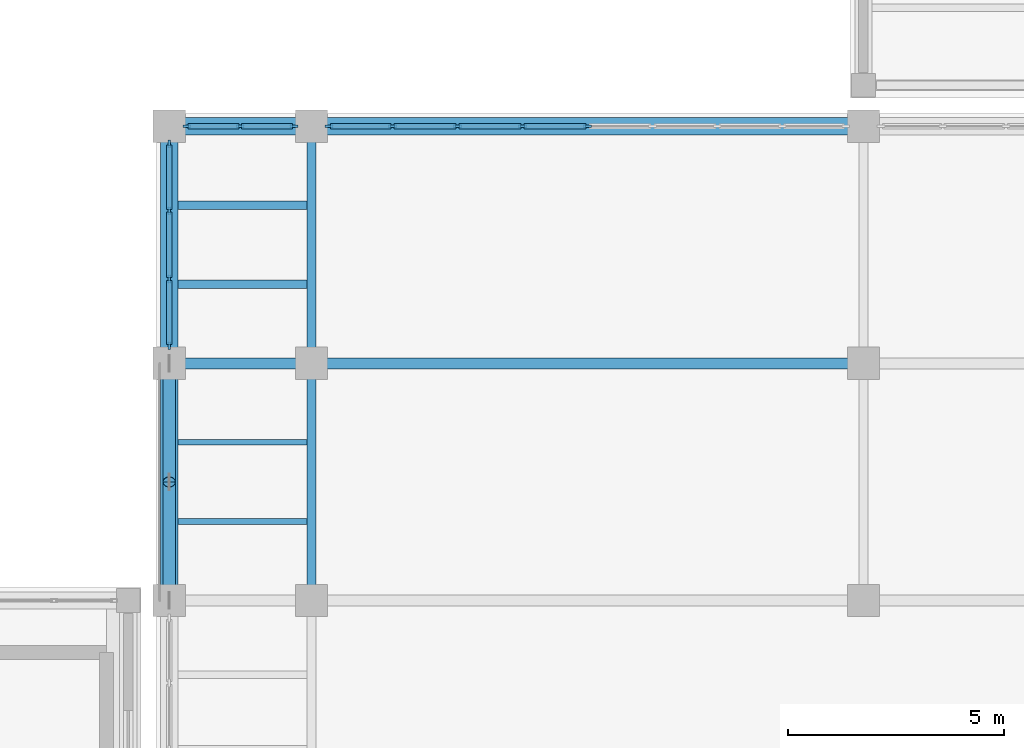
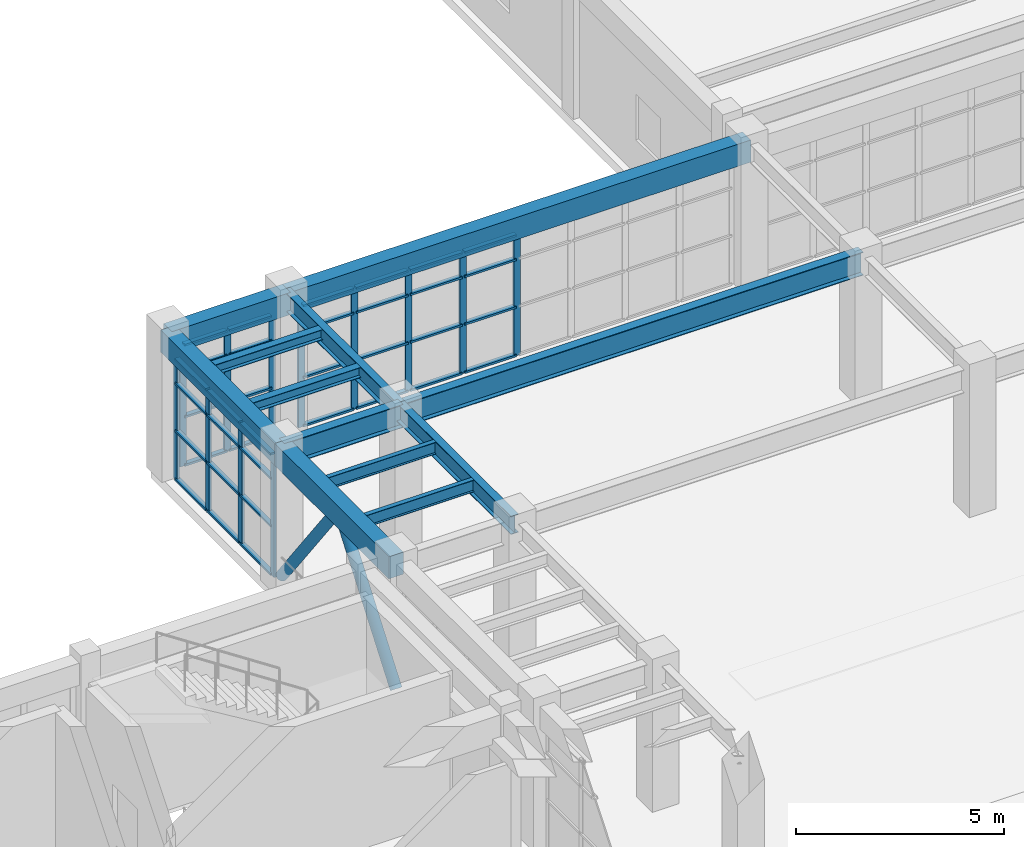
# One storey, part 42 of 85: 50 members, 12 beams, 3 elements without a shape of their own.
"""IFC4 building model written with IfcOpenShell, lengths in metres."""

from ifc_helpers import new_model, si_unit, direction, frame, origin, origin_2d, place, context, subcontext, project, spatial, rectangle, hollow_circle, i_section, extrude, material, layer, layer_set, material_profile, profile_set, type_object, element, aggregate, save


model = new_model("IFC4")

# Units and contexts
model_context = context("Model", 3, precision=1e-05, world=origin(), true_north=direction((0.0, 1.0)))
body_context = subcontext(model_context, "Body", "Model", "MODEL_VIEW")
ifc_project = project(units=[si_unit("LENGTHUNIT", "METRE"), si_unit("AREAUNIT", "SQUARE_METRE"), si_unit("VOLUMEUNIT", "CUBIC_METRE"), si_unit("PLANEANGLEUNIT", "RADIAN"), si_unit("MASSUNIT", "GRAM", prefix="KILO")], contexts=[model_context])

# Site, building, storey
site_placement = place(None, origin())
site = spatial("IfcSite", under=ifc_project, at=site_placement, CompositionType="ELEMENT")
building_placement = place(site_placement, origin())
building = spatial("IfcBuilding", under=site, at=building_placement, Name="Candilejo Ridge Gondola Terminal", CompositionType="ELEMENT")
storey_placement = place(building_placement, frame((0.0, 0.0, 4.5)))
storey = spatial("IfcBuildingStorey", under=building, at=storey_placement, Name="L01", CompositionType="ELEMENT", Elevation=4.5)

# Curtain wall, members
ifc_material_1 = material(Name="Anodised aluminium AA 6063-T6", Category="aluminium")
ifc_layer_1 = layer(ifc_material_1, 0.169921875)
ifc_layer_set_1 = layer_set([ifc_layer_1], Name="ARC-CW-HALL-3800-475X359")
curtain_wall_type_1 = type_object("IfcCurtainWallType", Name="ARC-CW-HALL-3800-475X359", PredefinedType="NOTDEFINED", material=ifc_layer_set_1)
curtain_wall_1_placement = place(storey_placement, origin())
curtain_wall_1 = element("IfcCurtainWall", 1, at=curtain_wall_1_placement, inside=storey, type_object=curtain_wall_type_1, Name="Curtain wall V4 L01-120", PredefinedType="NOTDEFINED")
ifc_material_2 = material(Name="Anodised aluminium AA 6063-T6", Category="aluminium")
ifc_material_profile_1 = material_profile(ifc_material_2, rectangle(XDim=0.06494140625, YDim=0.179931640625, at=origin_2d()))
ifc_profile_set_1 = profile_set([ifc_material_profile_1], Name="Anodised aluminium AA 6063-T6")
member_type_1 = type_object("IfcMemberType", Name="ARC-CW-MULLION-180", PredefinedType="MULLION", material=ifc_profile_set_1)
member_1_placement = place(storey_placement, frame((133.89990234375, 42.607421875, 0.0), z_axis=(0.0, 0.0, 1.0), x_axis=(-1.0, 0.0, 0.0)))
member_1 = element("IfcMember", 2, at=member_1_placement, type_object=member_type_1, Name="CW-47X35 mullion 1", PredefinedType="MULLION", context=body_context, shape_type="SweptSolid", body=[
    extrude(rectangle(XDim=0.06494140625, YDim=0.179931640625, at=origin_2d()), origin(), (0.0, 0.0, 1.0), 3.590087890625),
])
member_2_placement = place(storey_placement, frame((133.89990234375, 44.158447265625, 0.0), z_axis=(0.0, 0.0, 1.0), x_axis=(-1.0, 0.0, 0.0)))
member_2 = element("IfcMember", 3, at=member_2_placement, type_object=member_type_1, Name="CW-47X35 mullion 2", PredefinedType="MULLION", context=body_context, shape_type="SweptSolid", body=[
    extrude(rectangle(XDim=0.06494140625, YDim=0.179931640625, at=origin_2d()), origin(), (0.0, 0.0, 1.0), 3.590087890625),
])
member_3_placement = place(storey_placement, frame((133.89990234375, 45.74169921875, 0.0), z_axis=(0.0, 0.0, 1.0), x_axis=(-1.0, 0.0, 0.0)))
member_3 = element("IfcMember", 4, at=member_3_placement, type_object=member_type_1, Name="CW-47X35 mullion 3", PredefinedType="MULLION", context=body_context, shape_type="SweptSolid", body=[
    extrude(rectangle(XDim=0.06494140625, YDim=0.179931640625, at=origin_2d()), origin(), (0.0, 0.0, 1.0), 3.590087890625),
])
member_4_placement = place(storey_placement, frame((133.89990234375, 47.29248046875, 0.0), z_axis=(0.0, 0.0, 1.0), x_axis=(-1.0, 0.0, 0.0)))
member_4 = element("IfcMember", 5, at=member_4_placement, type_object=member_type_1, Name="CW-47X35 mullion 4", PredefinedType="MULLION", context=body_context, shape_type="SweptSolid", body=[
    extrude(rectangle(XDim=0.06494140625, YDim=0.179931640625, at=origin_2d()), origin(), (0.0, 0.0, 1.0), 3.590087890625),
])

ifc_material_3 = material(Name="Anodised aluminium AA 6063-T6", Category="aluminium")
ifc_layer_2 = layer(ifc_material_3, 0.169921875)
ifc_layer_set_2 = layer_set([ifc_layer_2], Name="ARC-CW-HALL-3800-255X359")
curtain_wall_type_2 = type_object("IfcCurtainWallType", Name="ARC-CW-HALL-3800-255X359", PredefinedType="NOTDEFINED", material=ifc_layer_set_2)
curtain_wall_2_placement = place(storey_placement, origin())
curtain_wall_2 = element("IfcCurtainWall", 6, at=curtain_wall_2_placement, inside=storey, type_object=curtain_wall_type_2, Name="Curtain wall V4 L01-123", PredefinedType="NOTDEFINED")
member_5_placement = place(storey_placement, frame((134.3076171875, 47.699951171875, 0.0), z_axis=(0.0, 0.0, 1.0), x_axis=(0.0, 1.0, 0.0)))
member_5 = element("IfcMember", 7, at=member_5_placement, type_object=member_type_1, Name="CW-25X35 mullion 1", PredefinedType="MULLION", context=body_context, shape_type="SweptSolid", body=[
    extrude(rectangle(XDim=0.06494140625, YDim=0.179931640625, at=origin_2d()), origin(), (0.0, 0.0, 1.0), 3.590087890625),
])
member_6_placement = place(storey_placement, frame((135.550048828125, 47.699951171875, 0.0), z_axis=(0.0, 0.0, 1.0), x_axis=(0.0, 1.0, 0.0)))
member_6 = element("IfcMember", 8, at=member_6_placement, type_object=member_type_1, Name="CW-25X35 mullion 2", PredefinedType="MULLION", context=body_context, shape_type="SweptSolid", body=[
    extrude(rectangle(XDim=0.06494140625, YDim=0.179931640625, at=origin_2d()), origin(), (0.0, 0.0, 1.0), 3.590087890625),
])
member_7_placement = place(storey_placement, frame((136.79248046875, 47.699951171875, 0.0), z_axis=(0.0, 0.0, 1.0), x_axis=(0.0, 1.0, 0.0)))
member_7 = element("IfcMember", 9, at=member_7_placement, type_object=member_type_1, Name="CW-25X35 mullion 3", PredefinedType="MULLION", context=body_context, shape_type="SweptSolid", body=[
    extrude(rectangle(XDim=0.06494140625, YDim=0.179931640625, at=origin_2d()), origin(), (0.0, 0.0, 1.0), 3.590087890625),
])

ifc_material_4 = material(Name="Anodised aluminium AA 6063-T6", Category="aluminium")
ifc_layer_3 = layer(ifc_material_4, 0.169921875)
ifc_layer_set_3 = layer_set([ifc_layer_3], Name="ARC-CW-HALL-3800-1205X359")
curtain_wall_type_3 = type_object("IfcCurtainWallType", Name="ARC-CW-HALL-3800-1205X359", PredefinedType="NOTDEFINED", material=ifc_layer_set_3)
curtain_wall_3_placement = place(storey_placement, origin())
curtain_wall_3 = element("IfcCurtainWall", 10, at=curtain_wall_3_placement, inside=storey, type_object=curtain_wall_type_3, Name="Curtain wall V4 L01-125", PredefinedType="NOTDEFINED")
member_8_placement = place(storey_placement, frame((137.607421875, 47.699951171875, 0.0), z_axis=(0.0, 0.0, 1.0), x_axis=(0.0, 1.0, 0.0)))
member_8 = element("IfcMember", 11, at=member_8_placement, type_object=member_type_1, Name="CW-120X35 mullion 1", PredefinedType="MULLION", context=body_context, shape_type="SweptSolid", body=[
    extrude(rectangle(XDim=0.06494140625, YDim=0.179931640625, at=origin_2d()), origin(), (0.0, 0.0, 1.0), 3.590087890625),
])
member_9_placement = place(storey_placement, frame((139.081298828125, 47.699951171875, 0.0), z_axis=(0.0, 0.0, 1.0), x_axis=(0.0, 1.0, 0.0)))
member_9 = element("IfcMember", 12, at=member_9_placement, type_object=member_type_1, Name="CW-120X35 mullion 2", PredefinedType="MULLION", context=body_context, shape_type="SweptSolid", body=[
    extrude(rectangle(XDim=0.06494140625, YDim=0.179931640625, at=origin_2d()), origin(), (0.0, 0.0, 1.0), 3.590087890625),
])
member_10_placement = place(storey_placement, frame((140.58740234375, 47.699951171875, 0.0), z_axis=(0.0, 0.0, 1.0), x_axis=(0.0, 1.0, 0.0)))
member_10 = element("IfcMember", 13, at=member_10_placement, type_object=member_type_1, Name="CW-120X35 mullion 3", PredefinedType="MULLION", context=body_context, shape_type="SweptSolid", body=[
    extrude(rectangle(XDim=0.06494140625, YDim=0.179931640625, at=origin_2d()), origin(), (0.0, 0.0, 1.0), 3.590087890625),
])
member_11_placement = place(storey_placement, frame((142.09375, 47.699951171875, 0.0), z_axis=(0.0, 0.0, 1.0), x_axis=(0.0, 1.0, 0.0)))
member_11 = element("IfcMember", 14, at=member_11_placement, type_object=member_type_1, Name="CW-120X35 mullion 4", PredefinedType="MULLION", context=body_context, shape_type="SweptSolid", body=[
    extrude(rectangle(XDim=0.06494140625, YDim=0.179931640625, at=origin_2d()), origin(), (0.0, 0.0, 1.0), 3.590087890625),
])
member_12_placement = place(storey_placement, frame((143.60009765625, 47.699951171875, 0.0), z_axis=(0.0, 0.0, 1.0), x_axis=(0.0, 1.0, 0.0)))
member_12 = element("IfcMember", 15, at=member_12_placement, type_object=member_type_1, Name="CW-120X35 mullion 5", PredefinedType="MULLION", context=body_context, shape_type="SweptSolid", body=[
    extrude(rectangle(XDim=0.06494140625, YDim=0.179931640625, at=origin_2d()), origin(), (0.0, 0.0, 1.0), 3.590087890625),
])

# Member
ifc_material_5 = material(Name="Anodised aluminium AA 6063-T6", Category="aluminium")
ifc_material_profile_2 = material_profile(ifc_material_5, rectangle(XDim=0.1298828125, YDim=0.06005859375, at=origin_2d()))
ifc_profile_set_2 = profile_set([ifc_material_profile_2], Name="Anodised aluminium AA 6063-T6")
member_type_2 = type_object("IfcMemberType", Name="ARC-CW-TRANSOM-130", PredefinedType="USERDEFINED", material=ifc_profile_set_2)
member_13_placement = place(storey_placement, frame((133.89990234375, 42.639892578125, 0.030029296875), z_axis=(0.0, 1.0, 0.0), x_axis=(-1.0, 0.0, 0.0)))
member_13 = element("IfcMember", 16, at=member_13_placement, type_object=member_type_2, Name="CW-47X35 transom 1.1", ObjectType="TRANSOM", PredefinedType="USERDEFINED", context=body_context, shape_type="SweptSolid", body=[
    extrude(rectangle(XDim=0.1298828125, YDim=0.06005859375, at=origin_2d()), origin(), (0.0, 0.0, 1.0), 1.48583984375),
])

member_14_placement = place(storey_placement, frame((133.89990234375, 42.639892578125, 1.449951171875), z_axis=(0.0, 1.0, 0.0), x_axis=(-1.0, 0.0, 0.0)))
member_14 = element("IfcMember", 17, at=member_14_placement, type_object=member_type_2, Name="CW-47X35 transom 1.2", ObjectType="TRANSOM", PredefinedType="USERDEFINED", context=body_context, shape_type="SweptSolid", body=[
    extrude(rectangle(XDim=0.1298828125, YDim=0.06005859375, at=origin_2d()), origin(), (0.0, 0.0, 1.0), 1.48583984375),
])

member_15_placement = place(storey_placement, frame((133.89990234375, 42.639892578125, 2.85009765625), z_axis=(0.0, 1.0, 0.0), x_axis=(-1.0, 0.0, 0.0)))
member_15 = element("IfcMember", 18, at=member_15_placement, type_object=member_type_2, Name="CW-47X35 transom 1.3", ObjectType="TRANSOM", PredefinedType="USERDEFINED", context=body_context, shape_type="SweptSolid", body=[
    extrude(rectangle(XDim=0.1298828125, YDim=0.06005859375, at=origin_2d()), origin(), (0.0, 0.0, 1.0), 1.48583984375),
])

member_16_placement = place(storey_placement, frame((133.89990234375, 42.639892578125, 3.56005859375), z_axis=(0.0, 1.0, 0.0), x_axis=(-1.0, 0.0, 0.0)))
member_16 = element("IfcMember", 19, at=member_16_placement, type_object=member_type_2, Name="CW-47X35 transom 1.4", ObjectType="TRANSOM", PredefinedType="USERDEFINED", context=body_context, shape_type="SweptSolid", body=[
    extrude(rectangle(XDim=0.1298828125, YDim=0.06005859375, at=origin_2d()), origin(), (0.0, 0.0, 1.0), 1.48583984375),
])

member_17_placement = place(storey_placement, frame((133.89990234375, 44.19091796875, 0.030029296875), z_axis=(0.0, 1.0, 0.0), x_axis=(-1.0, 0.0, 0.0)))
member_17 = element("IfcMember", 20, at=member_17_placement, type_object=member_type_2, Name="CW-47X35 transom 2.1", ObjectType="TRANSOM", PredefinedType="USERDEFINED", context=body_context, shape_type="SweptSolid", body=[
    extrude(rectangle(XDim=0.1298828125, YDim=0.06005859375, at=origin_2d()), origin(), (0.0, 0.0, 1.0), 1.518310546875),
])

member_18_placement = place(storey_placement, frame((133.89990234375, 44.19091796875, 1.449951171875), z_axis=(0.0, 1.0, 0.0), x_axis=(-1.0, 0.0, 0.0)))
member_18 = element("IfcMember", 21, at=member_18_placement, type_object=member_type_2, Name="CW-47X35 transom 2.2", ObjectType="TRANSOM", PredefinedType="USERDEFINED", context=body_context, shape_type="SweptSolid", body=[
    extrude(rectangle(XDim=0.1298828125, YDim=0.06005859375, at=origin_2d()), origin(), (0.0, 0.0, 1.0), 1.518310546875),
])

member_19_placement = place(storey_placement, frame((133.89990234375, 44.19091796875, 2.85009765625), z_axis=(0.0, 1.0, 0.0), x_axis=(-1.0, 0.0, 0.0)))
member_19 = element("IfcMember", 22, at=member_19_placement, type_object=member_type_2, Name="CW-47X35 transom 2.3", ObjectType="TRANSOM", PredefinedType="USERDEFINED", context=body_context, shape_type="SweptSolid", body=[
    extrude(rectangle(XDim=0.1298828125, YDim=0.06005859375, at=origin_2d()), origin(), (0.0, 0.0, 1.0), 1.518310546875),
])

member_20_placement = place(storey_placement, frame((133.89990234375, 44.19091796875, 3.56005859375), z_axis=(0.0, 1.0, 0.0), x_axis=(-1.0, 0.0, 0.0)))
member_20 = element("IfcMember", 23, at=member_20_placement, type_object=member_type_2, Name="CW-47X35 transom 2.4", ObjectType="TRANSOM", PredefinedType="USERDEFINED", context=body_context, shape_type="SweptSolid", body=[
    extrude(rectangle(XDim=0.1298828125, YDim=0.06005859375, at=origin_2d()), origin(), (0.0, 0.0, 1.0), 1.518310546875),
])

member_21_placement = place(storey_placement, frame((133.89990234375, 45.774169921875, 0.030029296875), z_axis=(0.0, 1.0, 0.0), x_axis=(-1.0, 0.0, 0.0)))
member_21 = element("IfcMember", 24, at=member_21_placement, type_object=member_type_2, Name="CW-47X35 transom 3.1", ObjectType="TRANSOM", PredefinedType="USERDEFINED", context=body_context, shape_type="SweptSolid", body=[
    extrude(rectangle(XDim=0.1298828125, YDim=0.06005859375, at=origin_2d()), origin(), (0.0, 0.0, 1.0), 1.48583984375),
])

member_22_placement = place(storey_placement, frame((133.89990234375, 45.774169921875, 1.449951171875), z_axis=(0.0, 1.0, 0.0), x_axis=(-1.0, 0.0, 0.0)))
member_22 = element("IfcMember", 25, at=member_22_placement, type_object=member_type_2, Name="CW-47X35 transom 3.2", ObjectType="TRANSOM", PredefinedType="USERDEFINED", context=body_context, shape_type="SweptSolid", body=[
    extrude(rectangle(XDim=0.1298828125, YDim=0.06005859375, at=origin_2d()), origin(), (0.0, 0.0, 1.0), 1.48583984375),
])

member_23_placement = place(storey_placement, frame((133.89990234375, 45.774169921875, 2.85009765625), z_axis=(0.0, 1.0, 0.0), x_axis=(-1.0, 0.0, 0.0)))
member_23 = element("IfcMember", 26, at=member_23_placement, type_object=member_type_2, Name="CW-47X35 transom 3.3", ObjectType="TRANSOM", PredefinedType="USERDEFINED", context=body_context, shape_type="SweptSolid", body=[
    extrude(rectangle(XDim=0.1298828125, YDim=0.06005859375, at=origin_2d()), origin(), (0.0, 0.0, 1.0), 1.48583984375),
])

member_24_placement = place(storey_placement, frame((133.89990234375, 45.774169921875, 3.56005859375), z_axis=(0.0, 1.0, 0.0), x_axis=(-1.0, 0.0, 0.0)))
member_24 = element("IfcMember", 27, at=member_24_placement, type_object=member_type_2, Name="CW-47X35 transom 3.4", ObjectType="TRANSOM", PredefinedType="USERDEFINED", context=body_context, shape_type="SweptSolid", body=[
    extrude(rectangle(XDim=0.1298828125, YDim=0.06005859375, at=origin_2d()), origin(), (0.0, 0.0, 1.0), 1.48583984375),
])

aggregate(curtain_wall_1, [member_1, member_2, member_3, member_4, member_13, member_14, member_15, member_16, member_17, member_18, member_19, member_20, member_21, member_22, member_23, member_24])

member_25_placement = place(storey_placement, frame((134.340087890625, 47.699951171875, 0.030029296875), z_axis=(1.0, 0.0, 0.0), x_axis=(0.0, 1.0, 0.0)))
member_25 = element("IfcMember", 28, at=member_25_placement, type_object=member_type_2, Name="CW-25X35 transom 1.1", ObjectType="TRANSOM", PredefinedType="USERDEFINED", context=body_context, shape_type="SweptSolid", body=[
    extrude(rectangle(XDim=0.1298828125, YDim=0.06005859375, at=origin_2d()), origin(), (0.0, 0.0, 1.0), 1.177490234375),
])

member_26_placement = place(storey_placement, frame((134.340087890625, 47.699951171875, 1.449951171875), z_axis=(1.0, 0.0, 0.0), x_axis=(0.0, 1.0, 0.0)))
member_26 = element("IfcMember", 29, at=member_26_placement, type_object=member_type_2, Name="CW-25X35 transom 1.2", ObjectType="TRANSOM", PredefinedType="USERDEFINED", context=body_context, shape_type="SweptSolid", body=[
    extrude(rectangle(XDim=0.1298828125, YDim=0.06005859375, at=origin_2d()), origin(), (0.0, 0.0, 1.0), 1.177490234375),
])

member_27_placement = place(storey_placement, frame((134.340087890625, 47.699951171875, 2.85009765625), z_axis=(1.0, 0.0, 0.0), x_axis=(0.0, 1.0, 0.0)))
member_27 = element("IfcMember", 30, at=member_27_placement, type_object=member_type_2, Name="CW-25X35 transom 1.3", ObjectType="TRANSOM", PredefinedType="USERDEFINED", context=body_context, shape_type="SweptSolid", body=[
    extrude(rectangle(XDim=0.1298828125, YDim=0.06005859375, at=origin_2d()), origin(), (0.0, 0.0, 1.0), 1.177490234375),
])

member_28_placement = place(storey_placement, frame((134.340087890625, 47.699951171875, 3.56005859375), z_axis=(1.0, 0.0, 0.0), x_axis=(0.0, 1.0, 0.0)))
member_28 = element("IfcMember", 31, at=member_28_placement, type_object=member_type_2, Name="CW-25X35 transom 1.4", ObjectType="TRANSOM", PredefinedType="USERDEFINED", context=body_context, shape_type="SweptSolid", body=[
    extrude(rectangle(XDim=0.1298828125, YDim=0.06005859375, at=origin_2d()), origin(), (0.0, 0.0, 1.0), 1.177490234375),
])

member_29_placement = place(storey_placement, frame((135.58251953125, 47.699951171875, 0.030029296875), z_axis=(1.0, 0.0, 0.0), x_axis=(0.0, 1.0, 0.0)))
member_29 = element("IfcMember", 32, at=member_29_placement, type_object=member_type_2, Name="CW-25X35 transom 2.1", ObjectType="TRANSOM", PredefinedType="USERDEFINED", context=body_context, shape_type="SweptSolid", body=[
    extrude(rectangle(XDim=0.1298828125, YDim=0.06005859375, at=origin_2d()), origin(), (0.0, 0.0, 1.0), 1.177490234375),
])

member_30_placement = place(storey_placement, frame((135.58251953125, 47.699951171875, 1.449951171875), z_axis=(1.0, 0.0, 0.0), x_axis=(0.0, 1.0, 0.0)))
member_30 = element("IfcMember", 33, at=member_30_placement, type_object=member_type_2, Name="CW-25X35 transom 2.2", ObjectType="TRANSOM", PredefinedType="USERDEFINED", context=body_context, shape_type="SweptSolid", body=[
    extrude(rectangle(XDim=0.1298828125, YDim=0.06005859375, at=origin_2d()), origin(), (0.0, 0.0, 1.0), 1.177490234375),
])

member_31_placement = place(storey_placement, frame((135.58251953125, 47.699951171875, 2.85009765625), z_axis=(1.0, 0.0, 0.0), x_axis=(0.0, 1.0, 0.0)))
member_31 = element("IfcMember", 34, at=member_31_placement, type_object=member_type_2, Name="CW-25X35 transom 2.3", ObjectType="TRANSOM", PredefinedType="USERDEFINED", context=body_context, shape_type="SweptSolid", body=[
    extrude(rectangle(XDim=0.1298828125, YDim=0.06005859375, at=origin_2d()), origin(), (0.0, 0.0, 1.0), 1.177490234375),
])

member_32_placement = place(storey_placement, frame((135.58251953125, 47.699951171875, 3.56005859375), z_axis=(1.0, 0.0, 0.0), x_axis=(0.0, 1.0, 0.0)))
member_32 = element("IfcMember", 35, at=member_32_placement, type_object=member_type_2, Name="CW-25X35 transom 2.4", ObjectType="TRANSOM", PredefinedType="USERDEFINED", context=body_context, shape_type="SweptSolid", body=[
    extrude(rectangle(XDim=0.1298828125, YDim=0.06005859375, at=origin_2d()), origin(), (0.0, 0.0, 1.0), 1.177490234375),
])

aggregate(curtain_wall_2, [member_5, member_6, member_7, member_25, member_26, member_27, member_28, member_29, member_30, member_31, member_32])

member_33_placement = place(storey_placement, frame((137.639892578125, 47.699951171875, 0.030029296875), z_axis=(1.0, 0.0, 0.0), x_axis=(0.0, 1.0, 0.0)))
member_33 = element("IfcMember", 36, at=member_33_placement, type_object=member_type_2, Name="CW-120X35 transom 1.1", ObjectType="TRANSOM", PredefinedType="USERDEFINED", context=body_context, shape_type="SweptSolid", body=[
    extrude(rectangle(XDim=0.1298828125, YDim=0.06005859375, at=origin_2d()), origin(), (0.0, 0.0, 1.0), 1.408935546875),
])

member_34_placement = place(storey_placement, frame((137.639892578125, 47.699951171875, 1.449951171875), z_axis=(1.0, 0.0, 0.0), x_axis=(0.0, 1.0, 0.0)))
member_34 = element("IfcMember", 37, at=member_34_placement, type_object=member_type_2, Name="CW-120X35 transom 1.2", ObjectType="TRANSOM", PredefinedType="USERDEFINED", context=body_context, shape_type="SweptSolid", body=[
    extrude(rectangle(XDim=0.1298828125, YDim=0.06005859375, at=origin_2d()), origin(), (0.0, 0.0, 1.0), 1.408935546875),
])

member_35_placement = place(storey_placement, frame((137.639892578125, 47.699951171875, 2.85009765625), z_axis=(1.0, 0.0, 0.0), x_axis=(0.0, 1.0, 0.0)))
member_35 = element("IfcMember", 38, at=member_35_placement, type_object=member_type_2, Name="CW-120X35 transom 1.3", ObjectType="TRANSOM", PredefinedType="USERDEFINED", context=body_context, shape_type="SweptSolid", body=[
    extrude(rectangle(XDim=0.1298828125, YDim=0.06005859375, at=origin_2d()), origin(), (0.0, 0.0, 1.0), 1.408935546875),
])

member_36_placement = place(storey_placement, frame((137.639892578125, 47.699951171875, 3.56005859375), z_axis=(1.0, 0.0, 0.0), x_axis=(0.0, 1.0, 0.0)))
member_36 = element("IfcMember", 39, at=member_36_placement, type_object=member_type_2, Name="CW-120X35 transom 1.4", ObjectType="TRANSOM", PredefinedType="USERDEFINED", context=body_context, shape_type="SweptSolid", body=[
    extrude(rectangle(XDim=0.1298828125, YDim=0.06005859375, at=origin_2d()), origin(), (0.0, 0.0, 1.0), 1.408935546875),
])

member_37_placement = place(storey_placement, frame((139.11376953125, 47.699951171875, 0.030029296875), z_axis=(1.0, 0.0, 0.0), x_axis=(0.0, 1.0, 0.0)))
member_37 = element("IfcMember", 40, at=member_37_placement, type_object=member_type_2, Name="CW-120X35 transom 2.1", ObjectType="TRANSOM", PredefinedType="USERDEFINED", context=body_context, shape_type="SweptSolid", body=[
    extrude(rectangle(XDim=0.1298828125, YDim=0.06005859375, at=origin_2d()), origin(), (0.0, 0.0, 1.0), 1.441162109375),
])

member_38_placement = place(storey_placement, frame((139.11376953125, 47.699951171875, 1.449951171875), z_axis=(1.0, 0.0, 0.0), x_axis=(0.0, 1.0, 0.0)))
member_38 = element("IfcMember", 41, at=member_38_placement, type_object=member_type_2, Name="CW-120X35 transom 2.2", ObjectType="TRANSOM", PredefinedType="USERDEFINED", context=body_context, shape_type="SweptSolid", body=[
    extrude(rectangle(XDim=0.1298828125, YDim=0.06005859375, at=origin_2d()), origin(), (0.0, 0.0, 1.0), 1.441162109375),
])

member_39_placement = place(storey_placement, frame((139.11376953125, 47.699951171875, 2.85009765625), z_axis=(1.0, 0.0, 0.0), x_axis=(0.0, 1.0, 0.0)))
member_39 = element("IfcMember", 42, at=member_39_placement, type_object=member_type_2, Name="CW-120X35 transom 2.3", ObjectType="TRANSOM", PredefinedType="USERDEFINED", context=body_context, shape_type="SweptSolid", body=[
    extrude(rectangle(XDim=0.1298828125, YDim=0.06005859375, at=origin_2d()), origin(), (0.0, 0.0, 1.0), 1.441162109375),
])

member_40_placement = place(storey_placement, frame((139.11376953125, 47.699951171875, 3.56005859375), z_axis=(1.0, 0.0, 0.0), x_axis=(0.0, 1.0, 0.0)))
member_40 = element("IfcMember", 43, at=member_40_placement, type_object=member_type_2, Name="CW-120X35 transom 2.4", ObjectType="TRANSOM", PredefinedType="USERDEFINED", context=body_context, shape_type="SweptSolid", body=[
    extrude(rectangle(XDim=0.1298828125, YDim=0.06005859375, at=origin_2d()), origin(), (0.0, 0.0, 1.0), 1.441162109375),
])

member_41_placement = place(storey_placement, frame((140.6201171875, 47.699951171875, 0.030029296875), z_axis=(1.0, 0.0, 0.0), x_axis=(0.0, 1.0, 0.0)))
member_41 = element("IfcMember", 44, at=member_41_placement, type_object=member_type_2, Name="CW-120X35 transom 3.1", ObjectType="TRANSOM", PredefinedType="USERDEFINED", context=body_context, shape_type="SweptSolid", body=[
    extrude(rectangle(XDim=0.1298828125, YDim=0.06005859375, at=origin_2d()), origin(), (0.0, 0.0, 1.0), 1.441162109375),
])

member_42_placement = place(storey_placement, frame((140.6201171875, 47.699951171875, 1.449951171875), z_axis=(1.0, 0.0, 0.0), x_axis=(0.0, 1.0, 0.0)))
member_42 = element("IfcMember", 45, at=member_42_placement, type_object=member_type_2, Name="CW-120X35 transom 3.2", ObjectType="TRANSOM", PredefinedType="USERDEFINED", context=body_context, shape_type="SweptSolid", body=[
    extrude(rectangle(XDim=0.1298828125, YDim=0.06005859375, at=origin_2d()), origin(), (0.0, 0.0, 1.0), 1.441162109375),
])

member_43_placement = place(storey_placement, frame((140.6201171875, 47.699951171875, 2.85009765625), z_axis=(1.0, 0.0, 0.0), x_axis=(0.0, 1.0, 0.0)))
member_43 = element("IfcMember", 46, at=member_43_placement, type_object=member_type_2, Name="CW-120X35 transom 3.3", ObjectType="TRANSOM", PredefinedType="USERDEFINED", context=body_context, shape_type="SweptSolid", body=[
    extrude(rectangle(XDim=0.1298828125, YDim=0.06005859375, at=origin_2d()), origin(), (0.0, 0.0, 1.0), 1.441162109375),
])

member_44_placement = place(storey_placement, frame((140.6201171875, 47.699951171875, 3.56005859375), z_axis=(1.0, 0.0, 0.0), x_axis=(0.0, 1.0, 0.0)))
member_44 = element("IfcMember", 47, at=member_44_placement, type_object=member_type_2, Name="CW-120X35 transom 3.4", ObjectType="TRANSOM", PredefinedType="USERDEFINED", context=body_context, shape_type="SweptSolid", body=[
    extrude(rectangle(XDim=0.1298828125, YDim=0.06005859375, at=origin_2d()), origin(), (0.0, 0.0, 1.0), 1.441162109375),
])

member_45_placement = place(storey_placement, frame((142.126220703125, 47.699951171875, 0.030029296875), z_axis=(1.0, 0.0, 0.0), x_axis=(0.0, 1.0, 0.0)))
member_45 = element("IfcMember", 48, at=member_45_placement, type_object=member_type_2, Name="CW-120X35 transom 4.1", ObjectType="TRANSOM", PredefinedType="USERDEFINED", context=body_context, shape_type="SweptSolid", body=[
    extrude(rectangle(XDim=0.1298828125, YDim=0.06005859375, at=origin_2d()), origin(), (0.0, 0.0, 1.0), 1.441162109375),
])

member_46_placement = place(storey_placement, frame((142.126220703125, 47.699951171875, 1.449951171875), z_axis=(1.0, 0.0, 0.0), x_axis=(0.0, 1.0, 0.0)))
member_46 = element("IfcMember", 49, at=member_46_placement, type_object=member_type_2, Name="CW-120X35 transom 4.2", ObjectType="TRANSOM", PredefinedType="USERDEFINED", context=body_context, shape_type="SweptSolid", body=[
    extrude(rectangle(XDim=0.1298828125, YDim=0.06005859375, at=origin_2d()), origin(), (0.0, 0.0, 1.0), 1.441162109375),
])

member_47_placement = place(storey_placement, frame((142.126220703125, 47.699951171875, 2.85009765625), z_axis=(1.0, 0.0, 0.0), x_axis=(0.0, 1.0, 0.0)))
member_47 = element("IfcMember", 50, at=member_47_placement, type_object=member_type_2, Name="CW-120X35 transom 4.3", ObjectType="TRANSOM", PredefinedType="USERDEFINED", context=body_context, shape_type="SweptSolid", body=[
    extrude(rectangle(XDim=0.1298828125, YDim=0.06005859375, at=origin_2d()), origin(), (0.0, 0.0, 1.0), 1.441162109375),
])

member_48_placement = place(storey_placement, frame((142.126220703125, 47.699951171875, 3.56005859375), z_axis=(1.0, 0.0, 0.0), x_axis=(0.0, 1.0, 0.0)))
member_48 = element("IfcMember", 51, at=member_48_placement, type_object=member_type_2, Name="CW-120X35 transom 4.4", ObjectType="TRANSOM", PredefinedType="USERDEFINED", context=body_context, shape_type="SweptSolid", body=[
    extrude(rectangle(XDim=0.1298828125, YDim=0.06005859375, at=origin_2d()), origin(), (0.0, 0.0, 1.0), 1.441162109375),
])

aggregate(curtain_wall_3, [member_8, member_9, member_10, member_11, member_12, member_33, member_34, member_35, member_36, member_37, member_38, member_39, member_40, member_41, member_42, member_43, member_44, member_45, member_46, member_47, member_48])

# Beams
ifc_material_6 = material(Name="Steel ASTM A992 Grade 50", Category="steel")
ifc_material_profile_3 = material_profile(ifc_material_6, i_section(OverallWidth=0.2109375, OverallDepth=0.5390625, WebThickness=0.01171875, FlangeThickness=0.018798828125, at=origin_2d()))
ifc_profile_set_3 = profile_set([ifc_material_profile_3], Name="Steel ASTM A992 Grade 50")
beam_type_1 = type_object("IfcBeamType", Name="STR-BM-W530X109", PredefinedType="BEAM", material=ifc_profile_set_3)
for number, where, z_axis, x_axis, name in (
    (52, (137.199951171875, 36.699951171875, 3.930419921875), (0.0, 1.0, 0.0), (-1.0, 0.0, 0.0), "Beam Y V4 L01 Y07-Y08@X22"),
    (53, (137.199951171875, 42.199951171875, 3.930419921875), (0.0, 1.0, 0.0), (-1.0, 0.0, 0.0), "Beam Y V4 L01 Y08-Y09@X22"),
):
    element("IfcBeam", number, at=place(storey_placement, frame(where, z_axis=z_axis, x_axis=x_axis)), inside=storey, type_object=beam_type_1, Name=name, PredefinedType="BEAM", context=body_context, shape_type="SweptSolid", body=[
        extrude(i_section(OverallWidth=0.2109375, OverallDepth=0.5390625, WebThickness=0.01171875, FlangeThickness=0.018798828125, at=origin_2d()), origin(), (0.0, 0.0, 1.0), 5.5),
    ])
ifc_material_7 = material(Name="Steel ASTM A992 Grade 50", Category="steel")
ifc_material_profile_4 = material_profile(ifc_material_7, i_section(OverallWidth=0.25390625, OverallDepth=0.68408203125, WebThickness=0.012451171875, FlangeThickness=0.018798828125, at=origin_2d()))
ifc_profile_set_4 = profile_set([ifc_material_profile_4], Name="Steel ASTM A992 Grade 50")
beam_type_2 = type_object("IfcBeamType", Name="STR-BM-W690X140", PredefinedType="BEAM", material=ifc_profile_set_4)
beam_1_placement = place(storey_placement, frame((133.89990234375, 42.199951171875, 3.85791015625), z_axis=(1.0, 0.0, 0.0), x_axis=(0.0, 1.0, 0.0)))
element("IfcBeam", 54, at=beam_1_placement, inside=storey, type_object=beam_type_2, Name="Beam X V4 L01 X21-X22@Y08", PredefinedType="BEAM", context=body_context, shape_type="SweptSolid", body=[
    extrude(i_section(OverallWidth=0.25390625, OverallDepth=0.68408203125, WebThickness=0.012451171875, FlangeThickness=0.018798828125, at=origin_2d()), origin(), (0.0, 0.0, 1.0), 3.300048828125),
])
beam_2_placement = place(storey_placement, frame((137.199951171875, 42.199951171875, 3.85791015625), z_axis=(1.0, 0.0, 0.0), x_axis=(0.0, 1.0, 0.0)))
element("IfcBeam", 55, at=beam_2_placement, inside=storey, type_object=beam_type_2, Name="Beam X V4 L01 X22-X23@Y08", PredefinedType="BEAM", context=body_context, shape_type="SweptSolid", body=[
    extrude(i_section(OverallWidth=0.25390625, OverallDepth=0.68408203125, WebThickness=0.012451171875, FlangeThickness=0.018798828125, at=origin_2d()), origin(), (0.0, 0.0, 1.0), 12.800048828125),
])

# Members
ifc_material_8 = material(Name="Steel ASTM A500 Grade C", Category="steel")
ifc_material_profile_5 = material_profile(ifc_material_8, hollow_circle(Radius=0.149169921875, WallThickness=0.009521484375, at=origin_2d()))
ifc_profile_set_5 = profile_set([ifc_material_profile_5], Name="Steel ASTM A500 Grade C")
member_type_3 = type_object("IfcMemberType", Name="STR-BRC-CHS298", PredefinedType="BRACE", material=ifc_profile_set_5)
for number, where, z_axis, x_axis, name in (
    (56, (133.89990234375, 36.699951171875, 0.25), (0.0, 0.604386481374, 0.796691270902), (-1.0, 0.0, 0.0), "Chevron brace V4 L01-02A"),
    (57, (133.89990234375, 42.199951171875, 0.25), (0.0, -0.604386481374, 0.796691270902), (1.0, 0.0, 0.0), "Chevron brace V4 L01-02B"),
):
    element("IfcMember", number, at=place(storey_placement, frame(where, z_axis=z_axis, x_axis=x_axis)), inside=storey, type_object=member_type_3, Name=name, PredefinedType="BRACE", context=body_context, shape_type="SweptSolid", body=[
        extrude(hollow_circle(Radius=0.149169921875, WallThickness=0.009521484375, at=origin_2d()), origin(), (0.0, 0.0, 1.0), 4.550048828125),
    ])

# Beams
ifc_material_9 = material(Name="Steel ASTM A992 Grade 50", Category="steel")
ifc_material_profile_6 = material_profile(ifc_material_9, i_section(OverallWidth=0.202880859375, OverallDepth=0.302978515625, WebThickness=0.007568359375, FlangeThickness=0.01318359375, at=origin_2d()))
ifc_profile_set_6 = profile_set([ifc_material_profile_6], Name="Steel ASTM A992 Grade 50")
beam_type_3 = type_object("IfcBeamType", Name="STR-JST-W310X60", PredefinedType="JOIST", material=ifc_profile_set_6)
for number, where, z_axis, x_axis, name in (
    (58, (134.10009765625, 44.033203125, 4.048583984375), (1.0, 0.0, 0.0), (0.0, 1.0, 0.0), "Composite joist V4 L01-0902"),
    (59, (134.10009765625, 45.86669921875, 4.048583984375), (1.0, 0.0, 0.0), (0.0, 1.0, 0.0), "Composite joist V4 L01-0903"),
):
    element("IfcBeam", number, at=place(storey_placement, frame(where, z_axis=z_axis, x_axis=x_axis)), inside=storey, type_object=beam_type_3, Name=name, PredefinedType="JOIST", context=body_context, shape_type="SweptSolid", body=[
        extrude(i_section(OverallWidth=0.202880859375, OverallDepth=0.302978515625, WebThickness=0.007568359375, FlangeThickness=0.01318359375, at=origin_2d()), origin(), (0.0, 0.0, 1.0), 2.994384765625),
    ])
ifc_material_10 = material(Name="Steel ASTM A992 Grade 50", Category="steel")
ifc_material_profile_7 = material_profile(ifc_material_10, i_section(OverallWidth=0.1279296875, OverallDepth=0.35302734375, WebThickness=0.006591796875, FlangeThickness=0.0107421875, at=origin_2d()))
ifc_profile_set_7 = profile_set([ifc_material_profile_7], Name="Steel ASTM A992 Grade 50")
beam_type_4 = type_object("IfcBeamType", Name="STR-JST-W360X39", PredefinedType="JOIST", material=ifc_profile_set_7)
for number, where, z_axis, x_axis, name in (
    (60, (134.10009765625, 38.533203125, 4.0234375), (1.0, 0.0, 0.0), (0.0, 1.0, 0.0), "Composite joist V4 L01-0900"),
    (61, (134.10009765625, 40.36669921875, 4.0234375), (1.0, 0.0, 0.0), (0.0, 1.0, 0.0), "Composite joist V4 L01-0901"),
):
    element("IfcBeam", number, at=place(storey_placement, frame(where, z_axis=z_axis, x_axis=x_axis)), inside=storey, type_object=beam_type_4, Name=name, PredefinedType="JOIST", context=body_context, shape_type="SweptSolid", body=[
        extrude(i_section(OverallWidth=0.1279296875, OverallDepth=0.35302734375, WebThickness=0.006591796875, FlangeThickness=0.0107421875, at=origin_2d()), origin(), (0.0, 0.0, 1.0), 2.994384765625),
    ])
ifc_material_11 = material(Name="Concrete f'c 35 MPa (C35/45)", Category="concrete")
ifc_material_profile_8 = material_profile(ifc_material_11, rectangle(XDim=0.39990234375, YDim=0.64990234375, at=origin_2d()))
ifc_profile_set_8 = profile_set([ifc_material_profile_8], Name="Concrete f'c 35 MPa (C35/45)")
beam_type_5 = type_object("IfcBeamType", Name="STR-SPN-RC400X650", PredefinedType="SPANDREL", material=ifc_profile_set_8)
beam_3_placement = place(storey_placement, frame((133.89990234375, 47.699951171875, 3.875), z_axis=(1.0, 0.0, 0.0), x_axis=(0.0, 1.0, 0.0)))
element("IfcBeam", 62, at=beam_3_placement, inside=storey, type_object=beam_type_5, Name="Beam X V4 L01 X21-X22@Y09", PredefinedType="SPANDREL", context=body_context, shape_type="SweptSolid", body=[
    extrude(rectangle(XDim=0.39990234375, YDim=0.64990234375, at=origin_2d()), origin(), (0.0, 0.0, 1.0), 3.300048828125),
])
beam_4_placement = place(storey_placement, frame((137.199951171875, 47.699951171875, 3.875), z_axis=(1.0, 0.0, 0.0), x_axis=(0.0, 1.0, 0.0)))
element("IfcBeam", 63, at=beam_4_placement, inside=storey, type_object=beam_type_5, Name="Beam X V4 L01 X22-X23@Y09", PredefinedType="SPANDREL", context=body_context, shape_type="SweptSolid", body=[
    extrude(rectangle(XDim=0.39990234375, YDim=0.64990234375, at=origin_2d()), origin(), (0.0, 0.0, 1.0), 12.800048828125),
])
for number, where, z_axis, x_axis, name in (
    (64, (133.89990234375, 36.699951171875, 3.875), (0.0, 1.0, 0.0), (-1.0, 0.0, 0.0), "Beam Y V4 L01 Y07-Y08@X21"),
    (65, (133.89990234375, 42.199951171875, 3.875), (0.0, 1.0, 0.0), (-1.0, 0.0, 0.0), "Beam Y V4 L01 Y08-Y09@X21"),
):
    element("IfcBeam", number, at=place(storey_placement, frame(where, z_axis=z_axis, x_axis=x_axis)), inside=storey, type_object=beam_type_5, Name=name, PredefinedType="SPANDREL", context=body_context, shape_type="SweptSolid", body=[
        extrude(rectangle(XDim=0.39990234375, YDim=0.64990234375, at=origin_2d()), origin(), (0.0, 0.0, 1.0), 5.5),
    ])

save(model, "model.ifc")
